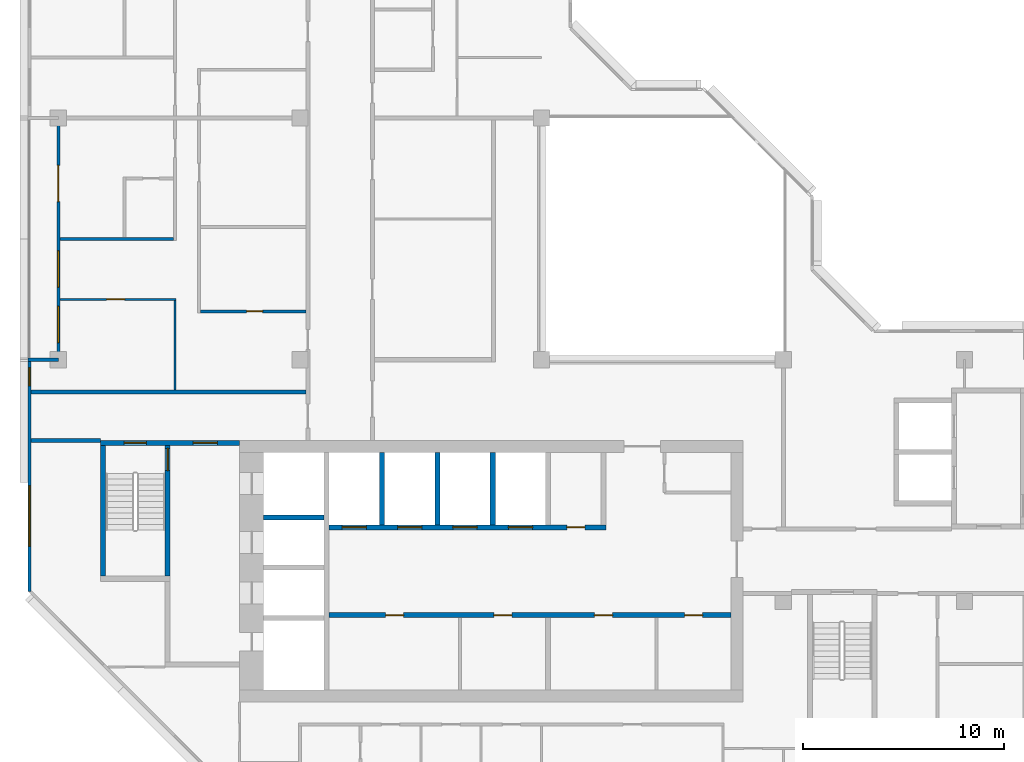
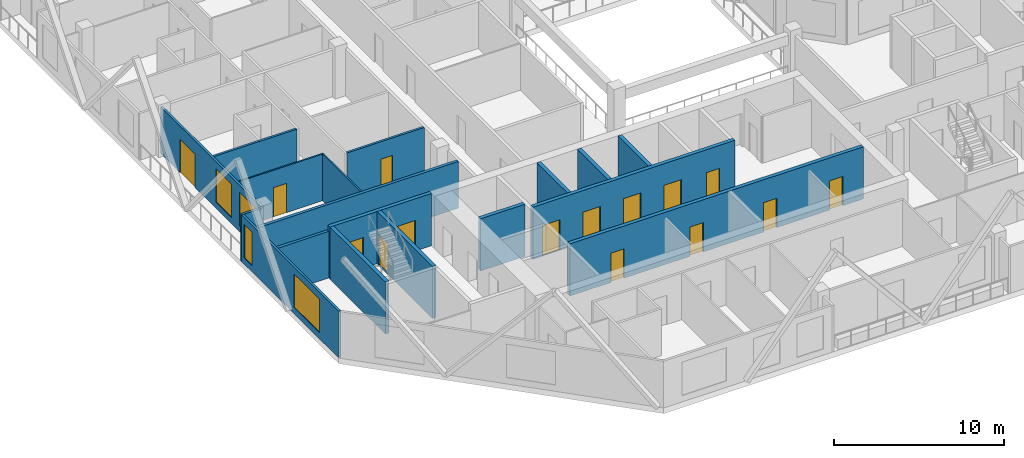
# One storey, part 5 of 13: 18 walls, 15 doors, 4 windows, 19 openings.
"""IFC4 building model written with IfcOpenShell, lengths in metres."""

from ifc_helpers import new_model, si_unit, direction, frame, frame_2d, origin, place, context, subcontext, project, spatial, rectangle, extrude, material, layer, layer_set, type_object, element, fill, save


model = new_model("IFC4")

# Units and contexts
model_context = context("Model", 3, precision=1e-05, world=origin(), true_north=direction((0.0, 1.0)))
body_context = subcontext(model_context, "Body", "Model", "MODEL_VIEW")
ifc_project = project(units=[si_unit("LENGTHUNIT", "METRE"), si_unit("AREAUNIT", "SQUARE_METRE"), si_unit("VOLUMEUNIT", "CUBIC_METRE"), si_unit("PLANEANGLEUNIT", "RADIAN"), si_unit("MASSUNIT", "GRAM", prefix="KILO")], contexts=[model_context])

# Site, building, storey
site_placement = place(None, origin())
site = spatial("IfcSite", under=ifc_project, at=site_placement, CompositionType="ELEMENT")
building_placement = place(site_placement, origin())
building = spatial("IfcBuilding", under=site, at=building_placement, Name="Chenar Terraces", CompositionType="ELEMENT")
storey_placement = place(building_placement, frame((0.0, 0.0, 303.39990234375)))
storey = spatial("IfcBuildingStorey", under=building, at=storey_placement, Name="L71", CompositionType="ELEMENT", Elevation=303.39990234375)

# Wall, openings, doors
ifc_material_1 = material(Name="Concrete C50/60", Category="concrete")
ifc_layer_1 = layer(ifc_material_1, 0.25)
ifc_layer_set_1 = layer_set([ifc_layer_1], Name="Concrete C50/60")
wall_type_1 = type_object("IfcWallType", Name="Core wall 250 Concrete C50/60", PredefinedType="SHEAR", material=ifc_layer_set_1)
wall_1_placement = place(storey_placement, frame((13.449951171875, 11.324951171875, 0.0), z_axis=(0.0, 0.0, 1.0), x_axis=(1.0, 0.0, 0.0)))
wall_1 = element("IfcWall", 1, at=wall_1_placement, inside=storey, type_object=wall_type_1, Name="Core wall SF L71", PredefinedType="SHEAR", context=body_context, shape_type="SweptSolid", body=[
    extrude(rectangle(XDim=19.949951171875, YDim=0.25, at=frame_2d((9.97509765625, 0.0))), origin(), (0.0, 0.0, 1.0), 3.75),
])
opening_1_placement = place(wall_1_placement, frame((2.800048828125, 0.0, 0.0)))
opening_1 = element("IfcOpeningElement", 2, at=opening_1_placement, cuts=wall_1, Name="Opening DL71-C12", PredefinedType="OPENING", context=body_context, shape_type="SweptSolid", body=[
    extrude(rectangle(XDim=0.89990234375, YDim=2.10009765625, at=frame_2d((0.449951171875, 1.050048828125))), frame((0.0, 0.135009765625, 0.0), z_axis=(0.0, -1.0, 0.0), x_axis=(1.0, 0.0, 0.0)), (0.0, 0.0, 1.0), 0.27001953125),
])
opening_2_placement = place(wall_1_placement, frame((8.175048828125, 0.0, 0.0)))
opening_2 = element("IfcOpeningElement", 3, at=opening_2_placement, cuts=wall_1, Name="Opening DL71-C13", PredefinedType="OPENING", context=body_context, shape_type="SweptSolid", body=[
    extrude(rectangle(XDim=0.89990234375, YDim=2.10009765625, at=frame_2d((0.449951171875, 1.050048828125))), frame((0.0, 0.135009765625, 0.0), z_axis=(0.0, -1.0, 0.0), x_axis=(1.0, 0.0, 0.0)), (0.0, 0.0, 1.0), 0.27001953125),
])
opening_3_placement = place(wall_1_placement, frame((13.175048828125, 0.0, 0.0)))
opening_3 = element("IfcOpeningElement", 4, at=opening_3_placement, cuts=wall_1, Name="Opening DL71-C14", PredefinedType="OPENING", context=body_context, shape_type="SweptSolid", body=[
    extrude(rectangle(XDim=0.89990234375, YDim=2.10009765625, at=frame_2d((0.449951171875, 1.050048828125))), frame((0.0, 0.135009765625, 0.0), z_axis=(0.0, -1.0, 0.0), x_axis=(1.0, 0.0, 0.0)), (0.0, 0.0, 1.0), 0.27001953125),
])
opening_4_placement = place(wall_1_placement, frame((17.64990234375, 0.0, 0.0)))
opening_4 = element("IfcOpeningElement", 5, at=opening_4_placement, cuts=wall_1, Name="Opening DL71-C15", PredefinedType="OPENING", context=body_context, shape_type="SweptSolid", body=[
    extrude(rectangle(XDim=0.89990234375, YDim=2.10009765625, at=frame_2d((0.449951171875, 1.050048828125))), frame((0.0, 0.135009765625, 0.0), z_axis=(0.0, -1.0, 0.0), x_axis=(1.0, 0.0, 0.0)), (0.0, 0.0, 1.0), 0.27001953125),
])
ifc_material_2 = material(Name="Steel-framed fire-resisting door leaf", Category="steel")
door_type_1 = type_object("IfcDoorType", Name="Riser fire door FD60 900 x 2100", OperationType="SINGLE_SWING_LEFT", PredefinedType="DOOR", material=ifc_material_2)
door_1_placement = place(opening_1_placement, frame((0.89990234375, 0.0, 0.0), z_axis=(0.0, 0.0, 1.0), x_axis=(-1.0, 0.0, 0.0)))
door_1 = element("IfcDoor", 6, at=door_1_placement, inside=storey, type_object=door_type_1, Name="Core room door DL71-C12", OperationType="SINGLE_SWING_LEFT", OverallHeight=2.10009765625, OverallWidth=0.89990234375, PredefinedType="DOOR", context=body_context, shape_type="SweptSolid", body=[
    extrude(rectangle(XDim=0.89990234375, YDim=2.10009765625, at=frame_2d((0.449951171875, 1.050048828125))), frame((0.0, 0.02490234375, 0.0), z_axis=(0.0, -1.0, 0.0), x_axis=(1.0, 0.0, 0.0)), (0.0, 0.0, 1.0), 0.050048828125),
])
fill(opening_1, door_1)
door_2_placement = place(opening_2_placement, frame((0.89990234375, 0.0, 0.0), z_axis=(0.0, 0.0, 1.0), x_axis=(-1.0, 0.0, 0.0)))
door_2 = element("IfcDoor", 7, at=door_2_placement, inside=storey, type_object=door_type_1, Name="Core room door DL71-C13", OperationType="SINGLE_SWING_LEFT", OverallHeight=2.10009765625, OverallWidth=0.89990234375, PredefinedType="DOOR", context=body_context, shape_type="SweptSolid", body=[
    extrude(rectangle(XDim=0.89990234375, YDim=2.10009765625, at=frame_2d((0.449951171875, 1.050048828125))), frame((0.0, 0.02490234375, 0.0), z_axis=(0.0, -1.0, 0.0), x_axis=(1.0, 0.0, 0.0)), (0.0, 0.0, 1.0), 0.050048828125),
])
fill(opening_2, door_2)
door_3_placement = place(opening_3_placement, frame((0.89990234375, 0.0, 0.0), z_axis=(0.0, 0.0, 1.0), x_axis=(-1.0, 0.0, 0.0)))
door_3 = element("IfcDoor", 8, at=door_3_placement, inside=storey, type_object=door_type_1, Name="Core room door DL71-C14", OperationType="SINGLE_SWING_LEFT", OverallHeight=2.10009765625, OverallWidth=0.89990234375, PredefinedType="DOOR", context=body_context, shape_type="SweptSolid", body=[
    extrude(rectangle(XDim=0.89990234375, YDim=2.10009765625, at=frame_2d((0.449951171875, 1.050048828125))), frame((0.0, 0.02490234375, 0.0), z_axis=(0.0, -1.0, 0.0), x_axis=(1.0, 0.0, 0.0)), (0.0, 0.0, 1.0), 0.050048828125),
])
fill(opening_3, door_3)
door_4_placement = place(opening_4_placement, frame((0.89990234375, 0.0, 0.0), z_axis=(0.0, 0.0, 1.0), x_axis=(-1.0, 0.0, 0.0)))
door_4 = element("IfcDoor", 9, at=door_4_placement, inside=storey, type_object=door_type_1, Name="Core room door DL71-C15", OperationType="SINGLE_SWING_RIGHT", OverallHeight=2.10009765625, OverallWidth=0.89990234375, PredefinedType="DOOR", context=body_context, shape_type="SweptSolid", body=[
    extrude(rectangle(XDim=0.89990234375, YDim=2.10009765625, at=frame_2d((0.449951171875, 1.050048828125))), frame((0.0, 0.02490234375, 0.0), z_axis=(0.0, -1.0, 0.0), x_axis=(1.0, 0.0, 0.0)), (0.0, 0.0, 1.0), 0.050048828125),
])
fill(opening_4, door_4)

wall_2_placement = place(storey_placement, frame((13.449951171875, 15.675048828125, 0.0), z_axis=(0.0, 0.0, 1.0), x_axis=(1.0, 0.0, 0.0)))
wall_2 = element("IfcWall", 10, at=wall_2_placement, inside=storey, type_object=wall_type_1, Name="Core wall NF L71", PredefinedType="SHEAR", context=body_context, shape_type="SweptSolid", body=[
    extrude(rectangle(XDim=13.75, YDim=0.25, at=frame_2d((6.875, 0.0))), origin(), (0.0, 0.0, 1.0), 3.75),
])
opening_5_placement = place(wall_2_placement, frame((0.64990234375, 0.0, 0.0)))
opening_5 = element("IfcOpeningElement", 11, at=opening_5_placement, cuts=wall_2, Name="Opening DL71-LD1", PredefinedType="OPENING", context=body_context, shape_type="SweptSolid", body=[
    extrude(rectangle(XDim=1.199951171875, YDim=2.199951171875, at=frame_2d((0.60009765625, 1.10009765625))), frame((0.0, 0.135009765625, 0.0), z_axis=(0.0, -1.0, 0.0), x_axis=(1.0, 0.0, 0.0)), (0.0, 0.0, 1.0), 0.27001953125),
])
opening_6_placement = place(wall_2_placement, frame((3.39990234375, 0.0, 0.0)))
opening_6 = element("IfcOpeningElement", 12, at=opening_6_placement, cuts=wall_2, Name="Opening DL71-LD2", PredefinedType="OPENING", context=body_context, shape_type="SweptSolid", body=[
    extrude(rectangle(XDim=1.199951171875, YDim=2.199951171875, at=frame_2d((0.60009765625, 1.10009765625))), frame((0.0, 0.135009765625, 0.0), z_axis=(0.0, -1.0, 0.0), x_axis=(1.0, 0.0, 0.0)), (0.0, 0.0, 1.0), 0.27001953125),
])
opening_7_placement = place(wall_2_placement, frame((6.14990234375, 0.0, 0.0)))
opening_7 = element("IfcOpeningElement", 13, at=opening_7_placement, cuts=wall_2, Name="Opening DL71-LD3", PredefinedType="OPENING", context=body_context, shape_type="SweptSolid", body=[
    extrude(rectangle(XDim=1.199951171875, YDim=2.199951171875, at=frame_2d((0.60009765625, 1.10009765625))), frame((0.0, 0.135009765625, 0.0), z_axis=(0.0, -1.0, 0.0), x_axis=(1.0, 0.0, 0.0)), (0.0, 0.0, 1.0), 0.27001953125),
])
opening_8_placement = place(wall_2_placement, frame((8.89990234375, 0.0, 0.0)))
opening_8 = element("IfcOpeningElement", 14, at=opening_8_placement, cuts=wall_2, Name="Opening DL71-LD4", PredefinedType="OPENING", context=body_context, shape_type="SweptSolid", body=[
    extrude(rectangle(XDim=1.199951171875, YDim=2.199951171875, at=frame_2d((0.60009765625, 1.10009765625))), frame((0.0, 0.135009765625, 0.0), z_axis=(0.0, -1.0, 0.0), x_axis=(1.0, 0.0, 0.0)), (0.0, 0.0, 1.0), 0.27001953125),
])
opening_9_placement = place(wall_2_placement, frame((11.800048828125, 0.0, 0.0)))
opening_9 = element("IfcOpeningElement", 15, at=opening_9_placement, cuts=wall_2, Name="Opening DL71-C16", PredefinedType="OPENING", context=body_context, shape_type="SweptSolid", body=[
    extrude(rectangle(XDim=0.89990234375, YDim=2.10009765625, at=frame_2d((0.449951171875, 1.050048828125))), frame((0.0, 0.135009765625, 0.0), z_axis=(0.0, -1.0, 0.0), x_axis=(1.0, 0.0, 0.0)), (0.0, 0.0, 1.0), 0.27001953125),
])
ifc_material_3 = material(Name="Stainless steel", Category="steel")
door_type_2 = type_object("IfcDoorType", Name="Lift landing door 1200 x 2200 sliding", OperationType="DOUBLE_DOOR_SLIDING", PredefinedType="DOOR", material=ifc_material_3)
door_5_placement = place(opening_5_placement, origin())
door_5 = element("IfcDoor", 16, at=door_5_placement, inside=storey, type_object=door_type_2, Name="Landing door H1", OperationType="DOUBLE_DOOR_SLIDING", OverallHeight=2.199951171875, OverallWidth=1.199951171875, PredefinedType="DOOR", context=body_context, shape_type="SweptSolid", body=[
    extrude(rectangle(XDim=1.199951171875, YDim=2.199951171875, at=frame_2d((0.60009765625, 1.10009765625))), frame((0.0, 0.02490234375, 0.0), z_axis=(0.0, -1.0, 0.0), x_axis=(1.0, 0.0, 0.0)), (0.0, 0.0, 1.0), 0.050048828125),
])
fill(opening_5, door_5)
door_6_placement = place(opening_6_placement, origin())
door_6 = element("IfcDoor", 17, at=door_6_placement, inside=storey, type_object=door_type_2, Name="Landing door H2", OperationType="DOUBLE_DOOR_SLIDING", OverallHeight=2.199951171875, OverallWidth=1.199951171875, PredefinedType="DOOR", context=body_context, shape_type="SweptSolid", body=[
    extrude(rectangle(XDim=1.199951171875, YDim=2.199951171875, at=frame_2d((0.60009765625, 1.10009765625))), frame((0.0, 0.02490234375, 0.0), z_axis=(0.0, -1.0, 0.0), x_axis=(1.0, 0.0, 0.0)), (0.0, 0.0, 1.0), 0.050048828125),
])
fill(opening_6, door_6)
door_7_placement = place(opening_7_placement, origin())
door_7 = element("IfcDoor", 18, at=door_7_placement, inside=storey, type_object=door_type_2, Name="Landing door H3", OperationType="DOUBLE_DOOR_SLIDING", OverallHeight=2.199951171875, OverallWidth=1.199951171875, PredefinedType="DOOR", context=body_context, shape_type="SweptSolid", body=[
    extrude(rectangle(XDim=1.199951171875, YDim=2.199951171875, at=frame_2d((0.60009765625, 1.10009765625))), frame((0.0, 0.02490234375, 0.0), z_axis=(0.0, -1.0, 0.0), x_axis=(1.0, 0.0, 0.0)), (0.0, 0.0, 1.0), 0.050048828125),
])
fill(opening_7, door_7)
door_8_placement = place(opening_8_placement, origin())
door_8 = element("IfcDoor", 19, at=door_8_placement, inside=storey, type_object=door_type_2, Name="Landing door H4", OperationType="DOUBLE_DOOR_SLIDING", OverallHeight=2.199951171875, OverallWidth=1.199951171875, PredefinedType="DOOR", context=body_context, shape_type="SweptSolid", body=[
    extrude(rectangle(XDim=1.199951171875, YDim=2.199951171875, at=frame_2d((0.60009765625, 1.10009765625))), frame((0.0, 0.02490234375, 0.0), z_axis=(0.0, -1.0, 0.0), x_axis=(1.0, 0.0, 0.0)), (0.0, 0.0, 1.0), 0.050048828125),
])
fill(opening_8, door_8)
door_9_placement = place(opening_9_placement, origin())
door_9 = element("IfcDoor", 20, at=door_9_placement, inside=storey, type_object=door_type_1, Name="Core room door DL71-C16", OperationType="SINGLE_SWING_RIGHT", OverallHeight=2.10009765625, OverallWidth=0.89990234375, PredefinedType="DOOR", context=body_context, shape_type="SweptSolid", body=[
    extrude(rectangle(XDim=0.89990234375, YDim=2.10009765625, at=frame_2d((0.449951171875, 1.050048828125))), frame((0.0, 0.02490234375, 0.0), z_axis=(0.0, -1.0, 0.0), x_axis=(1.0, 0.0, 0.0)), (0.0, 0.0, 1.0), 0.050048828125),
])
fill(opening_9, door_9)

# Walls
wall_3_placement = place(storey_placement, frame((10.199951171875, 16.175048828125, 0.0), z_axis=(0.0, 0.0, 1.0), x_axis=(1.0, 0.0, 0.0)))
element("IfcWall", 21, at=wall_3_placement, inside=storey, type_object=wall_type_1, Name="Core wall HW2 L71", PredefinedType="SHEAR", context=body_context, shape_type="SweptSolid", body=[
    extrude(rectangle(XDim=3.0, YDim=0.25, at=frame_2d((1.5, 0.0))), origin(), (0.0, 0.0, 1.0), 3.75),
])
for number, where, z_axis, x_axis, name in (
    (22, (16.074951171875, 15.800048828125, 0.0), (0.0, 0.0, 1.0), (0.0, 1.0, 0.0), "Core wall NS0 L71"),
    (23, (18.824951171875, 15.800048828125, 0.0), (0.0, 0.0, 1.0), (0.0, 1.0, 0.0), "Core wall NS1 L71"),
    (24, (21.574951171875, 15.800048828125, 0.0), (0.0, 0.0, 1.0), (0.0, 1.0, 0.0), "Core wall NS2 L71"),
):
    element("IfcWall", number, at=place(storey_placement, frame(where, z_axis=z_axis, x_axis=x_axis)), inside=storey, type_object=wall_type_1, Name=name, PredefinedType="SHEAR", context=body_context, shape_type="SweptSolid", body=[
        extrude(rectangle(XDim=3.599853515625, YDim=0.25, at=frame_2d((1.7998046875, 0.0))), origin(), (0.0, 0.0, 1.0), 3.75),
    ])

# Wall, openings, doors
wall_4_placement = place(storey_placement, frame((2.10009765625, 19.875, 0.0), z_axis=(0.0, 0.0, 1.0), x_axis=(1.0, 0.0, 0.0)))
wall_4 = element("IfcWall", 25, at=wall_4_placement, inside=storey, type_object=wall_type_1, Name="Core wall A_N L71", PredefinedType="SHEAR", context=body_context, shape_type="SweptSolid", body=[
    extrude(rectangle(XDim=6.89990234375, YDim=0.25, at=frame_2d((3.449951171875, 0.0))), origin(), (0.0, 0.0, 1.0), 3.75),
])
opening_10_placement = place(wall_4_placement, frame((1.175048828125, 0.0, 0.0)))
opening_10 = element("IfcOpeningElement", 26, at=opening_10_placement, cuts=wall_4, Name="Opening DL71-C5", PredefinedType="OPENING", context=body_context, shape_type="SweptSolid", body=[
    extrude(rectangle(XDim=1.10009765625, YDim=2.199951171875, at=frame_2d((0.550048828125, 1.10009765625))), frame((0.0, 0.135009765625, 0.0), z_axis=(0.0, -1.0, 0.0), x_axis=(1.0, 0.0, 0.0)), (0.0, 0.0, 1.0), 0.27001953125),
])
opening_11_placement = place(wall_4_placement, frame((4.60009765625, 0.0, 0.0)))
opening_11 = element("IfcOpeningElement", 27, at=opening_11_placement, cuts=wall_4, Name="Opening DL71-C6", PredefinedType="OPENING", context=body_context, shape_type="SweptSolid", body=[
    extrude(rectangle(XDim=1.199951171875, YDim=2.199951171875, at=frame_2d((0.60009765625, 1.10009765625))), frame((0.0, 0.135009765625, 0.0), z_axis=(0.0, -1.0, 0.0), x_axis=(1.0, 0.0, 0.0)), (0.0, 0.0, 1.0), 0.27001953125),
])
ifc_material_4 = material(Name="Steel-framed fire-resisting door leaf", Category="steel")
door_type_3 = type_object("IfcDoorType", Name="Lobby fire door FD60 1200 x 2200", OperationType="SINGLE_SWING_LEFT", PredefinedType="DOOR", material=ifc_material_4)
door_10_placement = place(opening_11_placement, frame((1.199951171875, 0.0, 0.0), z_axis=(0.0, 0.0, 1.0), x_axis=(-1.0, 0.0, 0.0)))
door_10 = element("IfcDoor", 28, at=door_10_placement, inside=storey, type_object=door_type_3, Name="Core door DL71-C6", OperationType="SINGLE_SWING_LEFT", OverallHeight=2.199951171875, OverallWidth=1.199951171875, PredefinedType="DOOR", context=body_context, shape_type="SweptSolid", body=[
    extrude(rectangle(XDim=1.199951171875, YDim=2.199951171875, at=frame_2d((0.60009765625, 1.10009765625))), frame((0.0, 0.02490234375, 0.0), z_axis=(0.0, -1.0, 0.0), x_axis=(1.0, 0.0, 0.0)), (0.0, 0.0, 1.0), 0.050048828125),
])
fill(opening_11, door_10)
ifc_material_5 = material(Name="Steel-framed fire-resisting door leaf", Category="steel")
door_type_4 = type_object("IfcDoorType", Name="Stair fire door FD60 1100 x 2200", OperationType="SINGLE_SWING_LEFT", PredefinedType="DOOR", material=ifc_material_5)
door_11_placement = place(opening_10_placement, origin())
door_11 = element("IfcDoor", 29, at=door_11_placement, inside=storey, type_object=door_type_4, Name="Stair door DL71-C5", OperationType="SINGLE_SWING_LEFT", OverallHeight=2.199951171875, OverallWidth=1.10009765625, PredefinedType="DOOR", context=body_context, shape_type="SweptSolid", body=[
    extrude(rectangle(XDim=1.10009765625, YDim=2.199951171875, at=frame_2d((0.550048828125, 1.10009765625))), frame((0.0, 0.02490234375, 0.0), z_axis=(0.0, -1.0, 0.0), x_axis=(1.0, 0.0, 0.0)), (0.0, 0.0, 1.0), 0.050048828125),
])
fill(opening_10, door_11)

# Wall
wall_5_placement = place(storey_placement, frame((2.22509765625, 13.25, 0.0), z_axis=(0.0, 0.0, 1.0), x_axis=(0.0, 1.0, 0.0)))
element("IfcWall", 30, at=wall_5_placement, inside=storey, type_object=wall_type_1, Name="Core wall ST1_W L71", PredefinedType="SHEAR", context=body_context, shape_type="SweptSolid", body=[
    extrude(rectangle(XDim=6.5, YDim=0.25, at=frame_2d((3.25, 0.0))), origin(), (0.0, 0.0, 1.0), 3.75),
])

# Wall, opening, door
wall_6_placement = place(storey_placement, frame((5.425048828125, 13.25, 0.0), z_axis=(0.0, 0.0, 1.0), x_axis=(0.0, 1.0, 0.0)))
wall_6 = element("IfcWall", 31, at=wall_6_placement, inside=storey, type_object=wall_type_1, Name="Core wall ST1_E L71", PredefinedType="SHEAR", context=body_context, shape_type="SweptSolid", body=[
    extrude(rectangle(XDim=6.5, YDim=0.25, at=frame_2d((3.25, 0.0))), origin(), (0.0, 0.0, 1.0), 3.75),
])
opening_12_placement = place(wall_6_placement, frame((5.25, 0.0, 0.0)))
opening_12 = element("IfcOpeningElement", 32, at=opening_12_placement, cuts=wall_6, Name="Opening DL71-C3", PredefinedType="OPENING", context=body_context, shape_type="SweptSolid", body=[
    extrude(rectangle(XDim=1.10009765625, YDim=2.199951171875, at=frame_2d((0.550048828125, 1.10009765625))), frame((0.0, 0.135009765625, 0.0), z_axis=(0.0, -1.0, 0.0), x_axis=(1.0, 0.0, 0.0)), (0.0, 0.0, 1.0), 0.27001953125),
])
door_12_placement = place(opening_12_placement, origin())
door_12 = element("IfcDoor", 33, at=door_12_placement, inside=storey, type_object=door_type_4, Name="Stair door DL71-C3", OperationType="SINGLE_SWING_RIGHT", OverallHeight=2.199951171875, OverallWidth=1.10009765625, PredefinedType="DOOR", context=body_context, shape_type="SweptSolid", body=[
    extrude(rectangle(XDim=1.10009765625, YDim=2.199951171875, at=frame_2d((0.550048828125, 1.10009765625))), frame((0.0, 0.02490234375, 0.0), z_axis=(0.0, -1.0, 0.0), x_axis=(1.0, 0.0, 0.0)), (0.0, 0.0, 1.0), 0.050048828125),
])
fill(opening_12, door_12)

# Walls
ifc_material_6 = material(Name="Gypsum board on steel studs with fire boards", Category="steel")
ifc_layer_2 = layer(ifc_material_6, 0.199951171875)
ifc_layer_set_2 = layer_set([ifc_layer_2], Name="Gypsum board on steel studs with fire boards")
wall_type_2 = type_object("IfcWallType", Name="Corridor wall 200", PredefinedType="PARTITIONING", material=ifc_layer_set_2)
wall_7_placement = place(storey_placement, frame((-1.35009765625, 20.0, 0.0), z_axis=(0.0, 0.0, 1.0), x_axis=(1.0, 0.0, 0.0)))
element("IfcWall", 34, at=wall_7_placement, inside=storey, type_object=wall_type_2, Name="Partition L71-003", PredefinedType="PARTITIONING", context=body_context, shape_type="SweptSolid", body=[
    extrude(rectangle(XDim=3.4501953125, YDim=0.199951171875, at=frame_2d((1.72509765625, 0.0))), origin(), (0.0, 0.0, 1.0), 3.35009765625),
])
wall_8_placement = place(storey_placement, frame((-1.35009765625, 22.39990234375, 0.0), z_axis=(0.0, 0.0, 1.0), x_axis=(1.0, 0.0, 0.0)))
element("IfcWall", 35, at=wall_8_placement, inside=storey, type_object=wall_type_2, Name="Partition L71-004", PredefinedType="PARTITIONING", context=body_context, shape_type="SweptSolid", body=[
    extrude(rectangle(XDim=13.650146484375, YDim=0.199951171875, at=frame_2d((6.8251953125, 0.0))), origin(), (0.0, 0.0, 1.0), 3.35009765625),
])

# Wall, openings, windows
ifc_material_7 = material(Name="Aluminium framed glazing", Category="aluminium")
ifc_layer_3 = layer(ifc_material_7, 0.14990234375)
ifc_layer_set_3 = layer_set([ifc_layer_3], Name="Aluminium framed glazing")
wall_type_3 = type_object("IfcWallType", Name="Glazed flush facade wall 150", PredefinedType="SOLIDWALL", material=ifc_layer_set_3)
wall_9_placement = place(storey_placement, frame((-1.425048828125, 23.925048828125, 0.0), z_axis=(0.0, 0.0, 1.0), x_axis=(0.0, -1.0, 0.0)))
wall_9 = element("IfcWall", 36, at=wall_9_placement, inside=storey, type_object=wall_type_3, Name="Glazed flush facade wall", PredefinedType="SOLIDWALL", context=body_context, shape_type="SweptSolid", body=[
    extrude(rectangle(XDim=11.425048828125, YDim=0.14990234375, at=frame_2d((5.71240234375, 0.0))), origin(), (0.0, 0.0, 1.0), 3.35009765625),
])
opening_13_placement = place(wall_9_placement, frame((0.3125, 0.0, 0.449951171875)))
opening_13 = element("IfcOpeningElement", 37, at=opening_13_placement, cuts=wall_9, Name="Opening W90x240", PredefinedType="OPENING", context=body_context, shape_type="SweptSolid", body=[
    extrude(rectangle(XDim=0.89990234375, YDim=2.39990234375, at=frame_2d((0.449951171875, 1.199951171875))), frame((0.0, 0.0849609375, 0.0), z_axis=(0.0, -1.0, 0.0), x_axis=(1.0, 0.0, 0.0)), (0.0, 0.0, 1.0), 0.169921875),
])
opening_14_placement = place(wall_9_placement, frame((6.175048828125, 0.0, 0.449951171875)))
opening_14 = element("IfcOpeningElement", 38, at=opening_14_placement, cuts=wall_9, Name="Opening W300x240", PredefinedType="OPENING", context=body_context, shape_type="SweptSolid", body=[
    extrude(rectangle(XDim=3.0, YDim=2.39990234375, at=frame_2d((1.5, 1.199951171875))), frame((0.0, 0.0849609375, 0.0), z_axis=(0.0, -1.0, 0.0), x_axis=(1.0, 0.0, 0.0)), (0.0, 0.0, 1.0), 0.169921875),
])
ifc_material_8 = material(Name="Low emissivity double glazing, aluminium frame", Category="aluminium")
window_type_1 = type_object("IfcWindowType", Name="Fixed light 3000 x 2400", PartitioningType="SINGLE_PANEL", PredefinedType="WINDOW", material=ifc_material_8)
window_1_placement = place(opening_14_placement, origin())
window_1 = element("IfcWindow", 39, at=window_1_placement, inside=storey, type_object=window_type_1, Name="Window", OverallHeight=2.39990234375, OverallWidth=3.0, PartitioningType="SINGLE_PANEL", PredefinedType="WINDOW", context=body_context, shape_type="SweptSolid", body=[
    extrude(rectangle(XDim=3.0, YDim=2.39990234375, at=frame_2d((1.5, 1.199951171875))), frame((0.0, 0.030029296875, 0.0), z_axis=(0.0, -1.0, 0.0), x_axis=(1.0, 0.0, 0.0)), (0.0, 0.0, 1.0), 0.06005859375),
])
fill(opening_14, window_1)
ifc_material_9 = material(Name="Low emissivity double glazing, aluminium frame", Category="aluminium")
window_type_2 = type_object("IfcWindowType", Name="Fixed light 900 x 2400", PartitioningType="SINGLE_PANEL", PredefinedType="WINDOW", material=ifc_material_9)
window_2_placement = place(opening_13_placement, origin())
window_2 = element("IfcWindow", 40, at=window_2_placement, inside=storey, type_object=window_type_2, Name="Window", OverallHeight=2.39990234375, OverallWidth=0.89990234375, PartitioningType="SINGLE_PANEL", PredefinedType="WINDOW", context=body_context, shape_type="SweptSolid", body=[
    extrude(rectangle(XDim=0.89990234375, YDim=2.39990234375, at=frame_2d((0.449951171875, 1.199951171875))), frame((0.0, 0.030029296875, 0.0), z_axis=(0.0, -1.0, 0.0), x_axis=(1.0, 0.0, 0.0)), (0.0, 0.0, 1.0), 0.06005859375),
])
fill(opening_13, window_2)

# Wall, openings, windows, door
ifc_material_10 = material(Name="Aluminium framed glazing", Category="aluminium")
ifc_layer_4 = layer(ifc_material_10, 0.14990234375)
ifc_layer_set_4 = layer_set([ifc_layer_4], Name="Aluminium framed glazing")
wall_type_4 = type_object("IfcWallType", Name="Glazed loggia back wall 150", PredefinedType="SOLIDWALL", material=ifc_layer_set_4)
wall_10_placement = place(storey_placement, frame((0.0, 35.925048828125, 0.0), z_axis=(0.0, 0.0, 1.0), x_axis=(0.0, -1.0, 0.0)))
wall_10 = element("IfcWall", 41, at=wall_10_placement, inside=storey, type_object=wall_type_4, Name="Glazed loggia back wall", PredefinedType="SOLIDWALL", context=body_context, shape_type="SweptSolid", body=[
    extrude(rectangle(XDim=11.85009765625, YDim=0.14990234375, at=frame_2d((5.925048828125, 0.0))), origin(), (0.0, 0.0, 1.0), 3.35009765625),
])
opening_15_placement = place(wall_10_placement, frame((2.27490234375, 0.0, 0.0)))
opening_15 = element("IfcOpeningElement", 42, at=opening_15_placement, cuts=wall_10, Name="Opening DL71-G4", PredefinedType="OPENING", context=body_context, shape_type="SweptSolid", body=[
    extrude(rectangle(XDim=1.800048828125, YDim=2.39990234375, at=frame_2d((0.89990234375, 1.199951171875))), frame((0.0, 0.0849609375, 0.0), z_axis=(0.0, -1.0, 0.0), x_axis=(1.0, 0.0, 0.0)), (0.0, 0.0, 1.0), 0.169921875),
])
opening_16_placement = place(wall_10_placement, frame((6.52490234375, 0.0, 0.449951171875)))
opening_16 = element("IfcOpeningElement", 43, at=opening_16_placement, cuts=wall_10, Name="Opening W180x240", PredefinedType="OPENING", context=body_context, shape_type="SweptSolid", body=[
    extrude(rectangle(XDim=1.800048828125, YDim=2.39990234375, at=frame_2d((0.89990234375, 1.199951171875))), frame((0.0, 0.0849609375, 0.0), z_axis=(0.0, -1.0, 0.0), x_axis=(1.0, 0.0, 0.0)), (0.0, 0.0, 1.0), 0.169921875),
])
opening_17_placement = place(wall_10_placement, frame((9.27490234375, 0.0, 0.449951171875)))
opening_17 = element("IfcOpeningElement", 44, at=opening_17_placement, cuts=wall_10, Name="Opening W180x240", PredefinedType="OPENING", context=body_context, shape_type="SweptSolid", body=[
    extrude(rectangle(XDim=1.800048828125, YDim=2.39990234375, at=frame_2d((0.89990234375, 1.199951171875))), frame((0.0, 0.0849609375, 0.0), z_axis=(0.0, -1.0, 0.0), x_axis=(1.0, 0.0, 0.0)), (0.0, 0.0, 1.0), 0.169921875),
])
ifc_material_11 = material(Name="Low emissivity double glazing, aluminium frame", Category="aluminium")
window_type_3 = type_object("IfcWindowType", Name="Fixed light 1800 x 2400", PartitioningType="SINGLE_PANEL", PredefinedType="WINDOW", material=ifc_material_11)
window_3_placement = place(opening_16_placement, origin())
window_3 = element("IfcWindow", 45, at=window_3_placement, inside=storey, type_object=window_type_3, Name="Window", OverallHeight=2.39990234375, OverallWidth=1.800048828125, PartitioningType="SINGLE_PANEL", PredefinedType="WINDOW", context=body_context, shape_type="SweptSolid", body=[
    extrude(rectangle(XDim=1.800048828125, YDim=2.39990234375, at=frame_2d((0.89990234375, 1.199951171875))), frame((0.0, 0.030029296875, 0.0), z_axis=(0.0, -1.0, 0.0), x_axis=(1.0, 0.0, 0.0)), (0.0, 0.0, 1.0), 0.06005859375),
])
fill(opening_16, window_3)
window_4_placement = place(opening_17_placement, origin())
window_4 = element("IfcWindow", 46, at=window_4_placement, inside=storey, type_object=window_type_3, Name="Window", OverallHeight=2.39990234375, OverallWidth=1.800048828125, PartitioningType="SINGLE_PANEL", PredefinedType="WINDOW", context=body_context, shape_type="SweptSolid", body=[
    extrude(rectangle(XDim=1.800048828125, YDim=2.39990234375, at=frame_2d((0.89990234375, 1.199951171875))), frame((0.0, 0.030029296875, 0.0), z_axis=(0.0, -1.0, 0.0), x_axis=(1.0, 0.0, 0.0)), (0.0, 0.0, 1.0), 0.06005859375),
])
fill(opening_17, window_4)
ifc_material_12 = material(Name="Low emissivity double glazing, aluminium frame", Category="aluminium")
door_type_5 = type_object("IfcDoorType", Name="Loggia glazed double door 1800 x 2400", OperationType="DOUBLE_DOOR_SINGLE_SWING", PredefinedType="DOOR", material=ifc_material_12)
door_13_placement = place(opening_15_placement, frame((1.800048828125, 0.0, 0.0), z_axis=(0.0, 0.0, 1.0), x_axis=(-1.0, 0.0, 0.0)))
door_13 = element("IfcDoor", 47, at=door_13_placement, inside=storey, type_object=door_type_5, Name="Loggia glazed door", OperationType="DOUBLE_DOOR_SINGLE_SWING", OverallHeight=2.39990234375, OverallWidth=1.800048828125, PredefinedType="DOOR", context=body_context, shape_type="SweptSolid", body=[
    extrude(rectangle(XDim=1.800048828125, YDim=2.39990234375, at=frame_2d((0.89990234375, 1.199951171875))), frame((0.0, 0.02490234375, 0.0), z_axis=(0.0, -1.0, 0.0), x_axis=(1.0, 0.0, 0.0)), (0.0, 0.0, 1.0), 0.050048828125),
])
fill(opening_15, door_13)

# Wall, opening, door
ifc_material_13 = material(Name="Gypsum board on steel studs", Category="steel")
ifc_layer_5 = layer(ifc_material_13, 0.10009765625)
ifc_layer_set_5 = layer_set([ifc_layer_5], Name="Gypsum board on steel studs")
wall_type_5 = type_object("IfcWallType", Name="Gypsum partition 100", PredefinedType="PARTITIONING", material=ifc_layer_set_5)
wall_11_placement = place(storey_placement, frame((0.073974609375, 27.0, 0.0), z_axis=(0.0, 0.0, 1.0), x_axis=(1.0, 0.0, 0.0)))
wall_11 = element("IfcWall", 48, at=wall_11_placement, inside=storey, type_object=wall_type_5, Name="Partition L71-007", PredefinedType="PARTITIONING", context=body_context, shape_type="SweptSolid", body=[
    extrude(rectangle(XDim=5.776123046875, YDim=0.10009765625, at=frame_2d((2.88818359375, 0.0))), origin(), (0.0, 0.0, 1.0), 3.35009765625),
])
opening_18_placement = place(wall_11_placement, frame((2.325927734375, 0.0, 0.0)))
opening_18 = element("IfcOpeningElement", 49, at=opening_18_placement, cuts=wall_11, Name="Opening DL71-48", PredefinedType="OPENING", context=body_context, shape_type="SweptSolid", body=[
    extrude(rectangle(XDim=0.89990234375, YDim=2.10009765625, at=frame_2d((0.449951171875, 1.050048828125))), frame((0.0, 0.06005859375, 0.0), z_axis=(0.0, -1.0, 0.0), x_axis=(1.0, 0.0, 0.0)), (0.0, 0.0, 1.0), 0.1201171875),
])
ifc_material_14 = material(Name="Veneered timber door leaf", Category="wood")
door_type_6 = type_object("IfcDoorType", Name="Door 900 x 2100", OperationType="SINGLE_SWING_LEFT", PredefinedType="DOOR", material=ifc_material_14)
door_14_placement = place(opening_18_placement, frame((0.89990234375, 0.0, 0.0), z_axis=(0.0, 0.0, 1.0), x_axis=(-1.0, 0.0, 0.0)))
door_14 = element("IfcDoor", 50, at=door_14_placement, inside=storey, type_object=door_type_6, Name="Door DL71-48", OperationType="SINGLE_SWING_RIGHT", OverallHeight=2.10009765625, OverallWidth=0.89990234375, PredefinedType="DOOR", context=body_context, shape_type="SweptSolid", body=[
    extrude(rectangle(XDim=0.89990234375, YDim=2.10009765625, at=frame_2d((0.449951171875, 1.050048828125))), frame((0.0, 0.02490234375, 0.0), z_axis=(0.0, -1.0, 0.0), x_axis=(1.0, 0.0, 0.0)), (0.0, 0.0, 1.0), 0.050048828125),
])
fill(opening_18, door_14)

# Walls
wall_12_placement = place(storey_placement, frame((5.800048828125, 22.5, 0.0), z_axis=(0.0, 0.0, 1.0), x_axis=(0.0, 1.0, 0.0)))
element("IfcWall", 51, at=wall_12_placement, inside=storey, type_object=wall_type_5, Name="Partition L71-014", PredefinedType="PARTITIONING", context=body_context, shape_type="SweptSolid", body=[
    extrude(rectangle(XDim=4.449951171875, YDim=0.10009765625, at=frame_2d((2.22509765625, 0.0))), origin(), (0.0, 0.0, 1.0), 3.35009765625),
])
ifc_material_15 = material(Name="Terracotta cladding on insulated backing", Category="masonry")
ifc_layer_6 = layer(ifc_material_15, 0.14990234375)
ifc_layer_set_6 = layer_set([ifc_layer_6], Name="Terracotta cladding on insulated backing")
wall_type_6 = type_object("IfcWallType", Name="Loggia return wall 150", PredefinedType="SOLIDWALL", material=ifc_layer_set_6)
wall_13_placement = place(storey_placement, frame((-1.5, 24.0, 0.0), z_axis=(0.0, 0.0, 1.0), x_axis=(1.0, 0.0, 0.0)))
element("IfcWall", 52, at=wall_13_placement, inside=storey, type_object=wall_type_6, Name="Loggia return wall", PredefinedType="SOLIDWALL", context=body_context, shape_type="SweptSolid", body=[
    extrude(rectangle(XDim=1.5, YDim=0.14990234375, at=frame_2d((0.75, 0.0))), origin(), (0.0, 0.0, 1.0), 3.35009765625),
])
ifc_material_16 = material(Name="Moisture-resistant gypsum board on steel studs", Category="steel")
ifc_layer_7 = layer(ifc_material_16, 0.14990234375)
ifc_layer_set_7 = layer_set([ifc_layer_7], Name="Moisture-resistant gypsum board on steel studs")
wall_type_7 = type_object("IfcWallType", Name="Wet-room partition 150", PredefinedType="PARTITIONING", material=ifc_layer_set_7)
wall_14_placement = place(storey_placement, frame((0.073974609375, 30.0, 0.0), z_axis=(0.0, 0.0, 1.0), x_axis=(1.0, 0.0, 0.0)))
element("IfcWall", 53, at=wall_14_placement, inside=storey, type_object=wall_type_7, Name="Partition L71-008", PredefinedType="PARTITIONING", context=body_context, shape_type="SweptSolid", body=[
    extrude(rectangle(XDim=5.651123046875, YDim=0.14990234375, at=frame_2d((2.82568359375, 0.0))), origin(), (0.0, 0.0, 1.0), 3.35009765625),
])

# Wall, opening, door
wall_15_placement = place(storey_placement, frame((7.074951171875, 26.39990234375, 0.0), z_axis=(0.0, 0.0, 1.0), x_axis=(1.0, 0.0, 0.0)))
wall_15 = element("IfcWall", 54, at=wall_15_placement, inside=storey, type_object=wall_type_7, Name="Partition L71-020", PredefinedType="PARTITIONING", context=body_context, shape_type="SweptSolid", body=[
    extrude(rectangle(XDim=5.22509765625, YDim=0.14990234375, at=frame_2d((2.612548828125, 0.0))), origin(), (0.0, 0.0, 1.0), 3.35009765625),
])
opening_19_placement = place(wall_15_placement, frame((2.27490234375, 0.0, 0.0)))
opening_19 = element("IfcOpeningElement", 55, at=opening_19_placement, cuts=wall_15, Name="Opening DL71-47", PredefinedType="OPENING", context=body_context, shape_type="SweptSolid", body=[
    extrude(rectangle(XDim=0.800048828125, YDim=2.10009765625, at=frame_2d((0.39990234375, 1.050048828125))), frame((0.0, 0.0849609375, 0.0), z_axis=(0.0, -1.0, 0.0), x_axis=(1.0, 0.0, 0.0)), (0.0, 0.0, 1.0), 0.169921875),
])
ifc_material_17 = material(Name="Veneered timber door leaf", Category="wood")
door_type_7 = type_object("IfcDoorType", Name="Door 800 x 2100", OperationType="SINGLE_SWING_LEFT", PredefinedType="DOOR", material=ifc_material_17)
door_15_placement = place(opening_19_placement, origin())
door_15 = element("IfcDoor", 56, at=door_15_placement, inside=storey, type_object=door_type_7, Name="Door DL71-47", OperationType="SINGLE_SWING_LEFT", OverallHeight=2.10009765625, OverallWidth=0.800048828125, PredefinedType="DOOR", context=body_context, shape_type="SweptSolid", body=[
    extrude(rectangle(XDim=0.800048828125, YDim=2.10009765625, at=frame_2d((0.39990234375, 1.050048828125))), frame((0.0, 0.02490234375, 0.0), z_axis=(0.0, -1.0, 0.0), x_axis=(1.0, 0.0, 0.0)), (0.0, 0.0, 1.0), 0.050048828125),
])
fill(opening_19, door_15)

save(model, "model.ifc")
